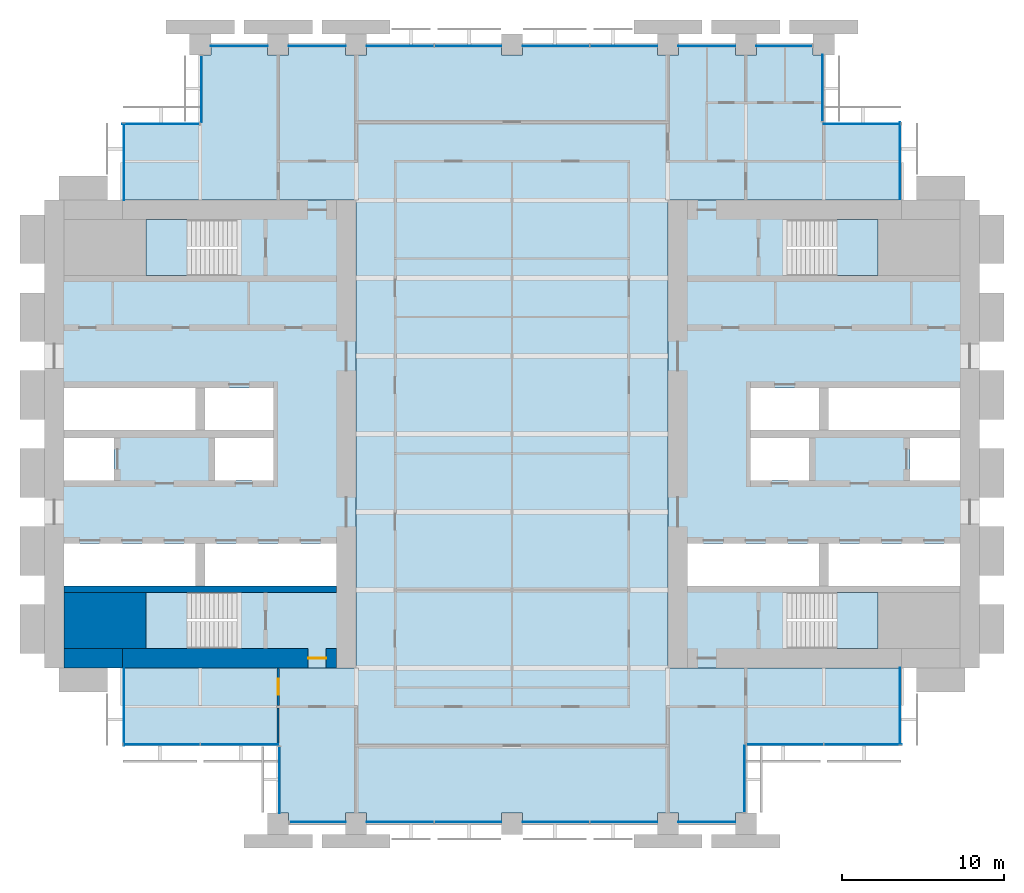
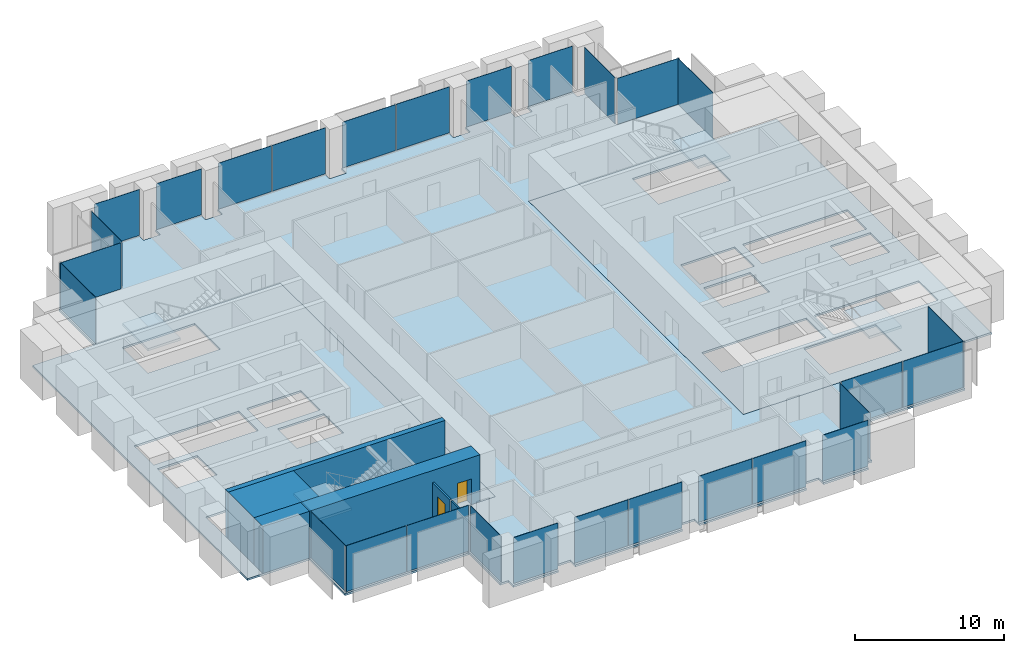
# One storey, part 8 of 14: 28 plates, 7 slabs, 6 walls, 2 doors, 2 openings, 18 elements without a shape of their own.
"""IFC4 building model written with IfcOpenShell, lengths in metres."""

from ifc_helpers import new_model, si_unit, direction, frame, frame_2d, origin, origin_2d, place, context, subcontext, project, spatial, polyline, rectangle, outline, extrude, material, layer, layer_set, type_object, element, fill, aggregate, save


model = new_model("IFC4")

# Units and contexts
model_context = context("Model", 3, precision=1e-05, world=origin(), true_north=direction((0.0, 1.0)))
body_context = subcontext(model_context, "Body", "Model", "MODEL_VIEW")
ifc_project = project(units=[si_unit("LENGTHUNIT", "METRE"), si_unit("AREAUNIT", "SQUARE_METRE"), si_unit("VOLUMEUNIT", "CUBIC_METRE"), si_unit("PLANEANGLEUNIT", "RADIAN"), si_unit("MASSUNIT", "GRAM", prefix="KILO")], contexts=[model_context])

# Site, building, storey
site_placement = place(None, origin())
site = spatial("IfcSite", under=ifc_project, at=site_placement, CompositionType="ELEMENT")
building_placement = place(site_placement, origin())
building = spatial("IfcBuilding", under=site, at=building_placement, Name="Baori Bourse Tower", CompositionType="ELEMENT")
storey_placement = place(building_placement, frame((0.0, 0.0, 79.0)))
storey = spatial("IfcBuildingStorey", under=building, at=storey_placement, Name="L17", CompositionType="ELEMENT", Elevation=79.0)

# Curtain wall, plates
ifc_material_1 = material(Name="Pale anodised aluminium", Category="aluminium")
curtain_wall_type_1 = type_object("IfcCurtainWallType", Name="CW1 Curtain wall", PredefinedType="NOTDEFINED", material=ifc_material_1)
curtain_wall_1_placement = place(storey_placement, origin())
curtain_wall_1 = element("IfcCurtainWall", 1, at=curtain_wall_1_placement, inside=storey, type_object=curtain_wall_type_1, Name="Curtain wall CW1 L17 4", PredefinedType="NOTDEFINED")
ifc_material_2 = material(Name="Clear glass", Category="glass")
ifc_layer_1 = layer(ifc_material_2, 0.033935546875)
ifc_layer_set_1 = layer_set([ifc_layer_1], Name="CW1 Curtain wall panel")
plate_type_1 = type_object("IfcPlateType", Name="CW1 Curtain wall panel", PredefinedType="CURTAIN_PANEL", material=ifc_layer_set_1)
plate_1_placement = place(storey_placement, frame((45.570068359375, 47.89990234375, 0.080078125), z_axis=(0.0, 0.0, 1.0), x_axis=(-1.0, 0.0, 0.0)))
plate_1 = element("IfcPlate", 2, at=plate_1_placement, type_object=plate_type_1, Name="Curtain wall CW1 panel", PredefinedType="CURTAIN_PANEL", context=body_context, shape_type="SweptSolid", body=[
    extrude(rectangle(XDim=3.43994140625, YDim=0.033935546875, at=origin_2d()), origin(), (0.0, 0.0, 1.0), 3.760009765625),
])
plate_2_placement = place(storey_placement, frame((40.800048828125, 47.89990234375, 0.080078125), z_axis=(0.0, 0.0, 1.0), x_axis=(-1.0, 0.0, 0.0)))
plate_2 = element("IfcPlate", 3, at=plate_2_placement, type_object=plate_type_1, Name="Curtain wall CW1 panel", PredefinedType="CURTAIN_PANEL", context=body_context, shape_type="SweptSolid", body=[
    extrude(rectangle(XDim=3.5, YDim=0.033935546875, at=origin_2d()), origin(), (0.0, 0.0, 1.0), 3.760009765625),
])
plate_3_placement = place(storey_placement, frame((35.68994140625, 47.89990234375, 0.080078125), z_axis=(0.0, 0.0, 1.0), x_axis=(-1.0, 0.0, 0.0)))
plate_3 = element("IfcPlate", 4, at=plate_3_placement, type_object=plate_type_1, Name="Curtain wall CW1 panel", PredefinedType="CURTAIN_PANEL", context=body_context, shape_type="SweptSolid", body=[
    extrude(rectangle(XDim=4.1201171875, YDim=0.033935546875, at=origin_2d()), origin(), (0.0, 0.0, 1.0), 3.760009765625),
])
plate_4_placement = place(storey_placement, frame((31.510009765625, 47.89990234375, 0.080078125), z_axis=(0.0, 0.0, 1.0), x_axis=(-1.0, 0.0, 0.0)))
plate_4 = element("IfcPlate", 5, at=plate_4_placement, type_object=plate_type_1, Name="Curtain wall CW1 panel", PredefinedType="CURTAIN_PANEL", context=body_context, shape_type="SweptSolid", body=[
    extrude(rectangle(XDim=4.1201171875, YDim=0.033935546875, at=origin_2d()), origin(), (0.0, 0.0, 1.0), 3.760009765625),
])
plate_5_placement = place(storey_placement, frame((26.090087890625, 47.89990234375, 0.080078125), z_axis=(0.0, 0.0, 1.0), x_axis=(-1.0, 0.0, 0.0)))
plate_5 = element("IfcPlate", 6, at=plate_5_placement, type_object=plate_type_1, Name="Curtain wall CW1 panel", PredefinedType="CURTAIN_PANEL", context=body_context, shape_type="SweptSolid", body=[
    extrude(rectangle(XDim=4.1201171875, YDim=0.033935546875, at=origin_2d()), origin(), (0.0, 0.0, 1.0), 3.760009765625),
])
plate_6_placement = place(storey_placement, frame((21.909912109375, 47.89990234375, 0.080078125), z_axis=(0.0, 0.0, 1.0), x_axis=(-1.0, 0.0, 0.0)))
plate_6 = element("IfcPlate", 7, at=plate_6_placement, type_object=plate_type_1, Name="Curtain wall CW1 panel", PredefinedType="CURTAIN_PANEL", context=body_context, shape_type="SweptSolid", body=[
    extrude(rectangle(XDim=4.1201171875, YDim=0.033935546875, at=origin_2d()), origin(), (0.0, 0.0, 1.0), 3.760009765625),
])
plate_7_placement = place(storey_placement, frame((16.800048828125, 47.89990234375, 0.080078125), z_axis=(0.0, 0.0, 1.0), x_axis=(-1.0, 0.0, 0.0)))
plate_7 = element("IfcPlate", 8, at=plate_7_placement, type_object=plate_type_1, Name="Curtain wall CW1 panel", PredefinedType="CURTAIN_PANEL", context=body_context, shape_type="SweptSolid", body=[
    extrude(rectangle(XDim=3.5, YDim=0.033935546875, at=origin_2d()), origin(), (0.0, 0.0, 1.0), 3.760009765625),
])
plate_8_placement = place(storey_placement, frame((12.0, 47.89990234375, 0.080078125), z_axis=(0.0, 0.0, 1.0), x_axis=(-1.0, 0.0, 0.0)))
plate_8 = element("IfcPlate", 9, at=plate_8_placement, type_object=plate_type_1, Name="Curtain wall CW1 panel", PredefinedType="CURTAIN_PANEL", context=body_context, shape_type="SweptSolid", body=[
    extrude(rectangle(XDim=3.5, YDim=0.033935546875, at=origin_2d()), origin(), (0.0, 0.0, 1.0), 3.760009765625),
])
aggregate(curtain_wall_1, [plate_1, plate_2, plate_3, plate_4, plate_5, plate_6, plate_7, plate_8])

curtain_wall_2_placement = place(storey_placement, origin())
curtain_wall_2 = element("IfcCurtainWall", 10, at=curtain_wall_2_placement, inside=storey, type_object=curtain_wall_type_1, Name="Curtain wall CW1 L17 11", PredefinedType="NOTDEFINED")
plate_9_placement = place(storey_placement, frame((16.830078125, 0.10009765625, 0.080078125), z_axis=(0.0, 0.0, 1.0), x_axis=(1.0, 0.0, 0.0)))
plate_9 = element("IfcPlate", 11, at=plate_9_placement, type_object=plate_type_1, Name="Curtain wall CW1 panel", PredefinedType="CURTAIN_PANEL", context=body_context, shape_type="SweptSolid", body=[
    extrude(rectangle(XDim=3.43994140625, YDim=0.033935546875, at=origin_2d()), origin(), (0.0, 0.0, 1.0), 3.760009765625),
])
plate_10_placement = place(storey_placement, frame((21.909912109375, 0.10009765625, 0.080078125), z_axis=(0.0, 0.0, 1.0), x_axis=(1.0, 0.0, 0.0)))
plate_10 = element("IfcPlate", 12, at=plate_10_placement, type_object=plate_type_1, Name="Curtain wall CW1 panel", PredefinedType="CURTAIN_PANEL", context=body_context, shape_type="SweptSolid", body=[
    extrude(rectangle(XDim=4.1201171875, YDim=0.033935546875, at=origin_2d()), origin(), (0.0, 0.0, 1.0), 3.760009765625),
])
plate_11_placement = place(storey_placement, frame((26.090087890625, 0.10009765625, 0.080078125), z_axis=(0.0, 0.0, 1.0), x_axis=(1.0, 0.0, 0.0)))
plate_11 = element("IfcPlate", 13, at=plate_11_placement, type_object=plate_type_1, Name="Curtain wall CW1 panel", PredefinedType="CURTAIN_PANEL", context=body_context, shape_type="SweptSolid", body=[
    extrude(rectangle(XDim=4.1201171875, YDim=0.033935546875, at=origin_2d()), origin(), (0.0, 0.0, 1.0), 3.760009765625),
])
plate_12_placement = place(storey_placement, frame((31.510009765625, 0.10009765625, 0.080078125), z_axis=(0.0, 0.0, 1.0), x_axis=(1.0, 0.0, 0.0)))
plate_12 = element("IfcPlate", 14, at=plate_12_placement, type_object=plate_type_1, Name="Curtain wall CW1 panel", PredefinedType="CURTAIN_PANEL", context=body_context, shape_type="SweptSolid", body=[
    extrude(rectangle(XDim=4.1201171875, YDim=0.033935546875, at=origin_2d()), origin(), (0.0, 0.0, 1.0), 3.760009765625),
])
plate_13_placement = place(storey_placement, frame((35.68994140625, 0.10009765625, 0.080078125), z_axis=(0.0, 0.0, 1.0), x_axis=(1.0, 0.0, 0.0)))
plate_13 = element("IfcPlate", 15, at=plate_13_placement, type_object=plate_type_1, Name="Curtain wall CW1 panel", PredefinedType="CURTAIN_PANEL", context=body_context, shape_type="SweptSolid", body=[
    extrude(rectangle(XDim=4.1201171875, YDim=0.033935546875, at=origin_2d()), origin(), (0.0, 0.0, 1.0), 3.760009765625),
])
plate_14_placement = place(storey_placement, frame((40.800048828125, 0.10009765625, 0.080078125), z_axis=(0.0, 0.0, 1.0), x_axis=(1.0, 0.0, 0.0)))
plate_14 = element("IfcPlate", 16, at=plate_14_placement, type_object=plate_type_1, Name="Curtain wall CW1 panel", PredefinedType="CURTAIN_PANEL", context=body_context, shape_type="SweptSolid", body=[
    extrude(rectangle(XDim=3.5, YDim=0.033935546875, at=origin_2d()), origin(), (0.0, 0.0, 1.0), 3.760009765625),
])
aggregate(curtain_wall_2, [plate_9, plate_10, plate_11, plate_12, plate_13, plate_14])

# Curtain wall, plate
ifc_material_3 = material(Name="Pale anodised aluminium", Category="aluminium")
curtain_wall_type_2 = type_object("IfcCurtainWallType", Name="CW2 Curtain wall", PredefinedType="NOTDEFINED", material=ifc_material_3)
curtain_wall_3_placement = place(storey_placement, origin())
curtain_wall_3 = element("IfcCurtainWall", 17, at=curtain_wall_3_placement, inside=storey, type_object=curtain_wall_type_2, Name="Curtain wall CW2 L17 1", PredefinedType="NOTDEFINED")
ifc_material_4 = material(Name="Clear glass", Category="glass")
ifc_layer_2 = layer(ifc_material_4, 0.030029296875)
ifc_layer_set_2 = layer_set([ifc_layer_2], Name="CW2 Curtain wall panel")
plate_type_2 = type_object("IfcPlateType", Name="CW2 Curtain wall panel", PredefinedType="CURTAIN_PANEL", material=ifc_layer_set_2)
plate_15_placement = place(storey_placement, frame((52.7099609375, 40.827392578125, 0.070068359375), z_axis=(0.0, 0.0, 1.0), x_axis=(0.0, 1.0, 0.0)))
plate_15 = element("IfcPlate", 18, at=plate_15_placement, type_object=plate_type_2, Name="Curtain wall CW2 panel", PredefinedType="CURTAIN_PANEL", context=body_context, shape_type="SweptSolid", body=[
    extrude(rectangle(XDim=4.7451171875, YDim=0.030029296875, at=origin_2d()), origin(), (0.0, 0.0, 1.0), 3.77001953125),
])
aggregate(curtain_wall_3, [plate_15])

curtain_wall_4_placement = place(storey_placement, origin())
curtain_wall_4 = element("IfcCurtainWall", 19, at=curtain_wall_4_placement, inside=storey, type_object=curtain_wall_type_2, Name="Curtain wall CW2 L17 2", PredefinedType="NOTDEFINED")
plate_16_placement = place(storey_placement, frame((50.37255859375, 43.110107421875, 0.070068359375), z_axis=(0.0, 0.0, 1.0), x_axis=(-1.0, 0.0, 0.0)))
plate_16 = element("IfcPlate", 20, at=plate_16_placement, type_object=plate_type_2, Name="Curtain wall CW2 panel", PredefinedType="CURTAIN_PANEL", context=body_context, shape_type="SweptSolid", body=[
    extrude(rectangle(XDim=4.7451171875, YDim=0.030029296875, at=origin_2d()), origin(), (0.0, 0.0, 1.0), 3.77001953125),
])
aggregate(curtain_wall_4, [plate_16])

curtain_wall_5_placement = place(storey_placement, origin())
curtain_wall_5 = element("IfcCurtainWall", 21, at=curtain_wall_5_placement, inside=storey, type_object=curtain_wall_type_2, Name="Curtain wall CW2 L17 3", PredefinedType="NOTDEFINED")
plate_17_placement = place(storey_placement, frame((47.909912109375, 45.302490234375, 0.070068359375), z_axis=(0.0, 0.0, 1.0), x_axis=(0.0, 1.0, 0.0)))
plate_17 = element("IfcPlate", 22, at=plate_17_placement, type_object=plate_type_2, Name="Curtain wall CW2 panel", PredefinedType="CURTAIN_PANEL", context=body_context, shape_type="SweptSolid", body=[
    extrude(rectangle(XDim=4.094970703125, YDim=0.030029296875, at=origin_2d()), origin(), (0.0, 0.0, 1.0), 3.77001953125),
])
aggregate(curtain_wall_5, [plate_17])

curtain_wall_6_placement = place(storey_placement, origin())
curtain_wall_6 = element("IfcCurtainWall", 23, at=curtain_wall_6_placement, inside=storey, type_object=curtain_wall_type_2, Name="Curtain wall CW2 L17 5", PredefinedType="NOTDEFINED")
plate_18_placement = place(storey_placement, frame((9.68994140625, 45.24755859375, 0.070068359375), z_axis=(0.0, 0.0, 1.0), x_axis=(0.0, -1.0, 0.0)))
plate_18 = element("IfcPlate", 24, at=plate_18_placement, type_object=plate_type_2, Name="Curtain wall CW2 panel", PredefinedType="CURTAIN_PANEL", context=body_context, shape_type="SweptSolid", body=[
    extrude(rectangle(XDim=4.094970703125, YDim=0.030029296875, at=origin_2d()), origin(), (0.0, 0.0, 1.0), 3.77001953125),
])
aggregate(curtain_wall_6, [plate_18])

curtain_wall_7_placement = place(storey_placement, origin())
curtain_wall_7 = element("IfcCurtainWall", 25, at=curtain_wall_7_placement, inside=storey, type_object=curtain_wall_type_2, Name="Curtain wall CW2 L17 6", PredefinedType="NOTDEFINED")
plate_19_placement = place(storey_placement, frame((7.172607421875, 43.110107421875, 0.070068359375), z_axis=(0.0, 0.0, 1.0), x_axis=(-1.0, 0.0, 0.0)))
plate_19 = element("IfcPlate", 26, at=plate_19_placement, type_object=plate_type_2, Name="Curtain wall CW2 panel", PredefinedType="CURTAIN_PANEL", context=body_context, shape_type="SweptSolid", body=[
    extrude(rectangle(XDim=4.7451171875, YDim=0.030029296875, at=origin_2d()), origin(), (0.0, 0.0, 1.0), 3.77001953125),
])
aggregate(curtain_wall_7, [plate_19])

curtain_wall_8_placement = place(storey_placement, origin())
curtain_wall_8 = element("IfcCurtainWall", 27, at=curtain_wall_8_placement, inside=storey, type_object=curtain_wall_type_2, Name="Curtain wall CW2 L17 7", PredefinedType="NOTDEFINED")
plate_20_placement = place(storey_placement, frame((4.889892578125, 40.7724609375, 0.070068359375), z_axis=(0.0, 0.0, 1.0), x_axis=(0.0, -1.0, 0.0)))
plate_20 = element("IfcPlate", 28, at=plate_20_placement, type_object=plate_type_2, Name="Curtain wall CW2 panel", PredefinedType="CURTAIN_PANEL", context=body_context, shape_type="SweptSolid", body=[
    extrude(rectangle(XDim=4.7451171875, YDim=0.030029296875, at=origin_2d()), origin(), (0.0, 0.0, 1.0), 3.77001953125),
])
aggregate(curtain_wall_8, [plate_20])

curtain_wall_9_placement = place(storey_placement, origin())
curtain_wall_9 = element("IfcCurtainWall", 29, at=curtain_wall_9_placement, inside=storey, type_object=curtain_wall_type_2, Name="Curtain wall CW2 L17 8", PredefinedType="NOTDEFINED")
plate_21_placement = place(storey_placement, frame((4.889892578125, 7.172607421875, 0.070068359375), z_axis=(0.0, 0.0, 1.0), x_axis=(0.0, -1.0, 0.0)))
plate_21 = element("IfcPlate", 30, at=plate_21_placement, type_object=plate_type_2, Name="Curtain wall CW2 panel", PredefinedType="CURTAIN_PANEL", context=body_context, shape_type="SweptSolid", body=[
    extrude(rectangle(XDim=4.7451171875, YDim=0.030029296875, at=origin_2d()), origin(), (0.0, 0.0, 1.0), 3.77001953125),
])
aggregate(curtain_wall_9, [plate_21])

# Curtain wall, plates
curtain_wall_10_placement = place(storey_placement, origin())
curtain_wall_10 = element("IfcCurtainWall", 31, at=curtain_wall_10_placement, inside=storey, type_object=curtain_wall_type_2, Name="Curtain wall CW2 L17 9", PredefinedType="NOTDEFINED")
plate_22_placement = place(storey_placement, frame((7.2138671875, 4.889892578125, 0.070068359375), z_axis=(0.0, 0.0, 1.0), x_axis=(1.0, 0.0, 0.0)))
plate_22 = element("IfcPlate", 32, at=plate_22_placement, type_object=plate_type_2, Name="Curtain wall CW2 panel", PredefinedType="CURTAIN_PANEL", context=body_context, shape_type="SweptSolid", body=[
    extrude(rectangle(XDim=4.717529296875, YDim=0.030029296875, at=origin_2d()), origin(), (0.0, 0.0, 1.0), 3.77001953125),
])
plate_23_placement = place(storey_placement, frame((12.013671875, 4.889892578125, 0.070068359375), z_axis=(0.0, 0.0, 1.0), x_axis=(1.0, 0.0, 0.0)))
plate_23 = element("IfcPlate", 33, at=plate_23_placement, type_object=plate_type_2, Name="Curtain wall CW2 panel", PredefinedType="CURTAIN_PANEL", context=body_context, shape_type="SweptSolid", body=[
    extrude(rectangle(XDim=4.7724609375, YDim=0.030029296875, at=origin_2d()), origin(), (0.0, 0.0, 1.0), 3.77001953125),
])
aggregate(curtain_wall_10, [plate_22, plate_23])

# Curtain wall, plate
curtain_wall_11_placement = place(storey_placement, origin())
curtain_wall_11 = element("IfcCurtainWall", 34, at=curtain_wall_11_placement, inside=storey, type_object=curtain_wall_type_2, Name="Curtain wall CW2 L17 10", PredefinedType="NOTDEFINED")
plate_24_placement = place(storey_placement, frame((14.489990234375, 2.697509765625, 0.070068359375), z_axis=(0.0, 0.0, 1.0), x_axis=(0.0, -1.0, 0.0)))
plate_24 = element("IfcPlate", 35, at=plate_24_placement, type_object=plate_type_2, Name="Curtain wall CW2 panel", PredefinedType="CURTAIN_PANEL", context=body_context, shape_type="SweptSolid", body=[
    extrude(rectangle(XDim=4.094970703125, YDim=0.030029296875, at=origin_2d()), origin(), (0.0, 0.0, 1.0), 3.77001953125),
])
aggregate(curtain_wall_11, [plate_24])

curtain_wall_12_placement = place(storey_placement, origin())
curtain_wall_12 = element("IfcCurtainWall", 36, at=curtain_wall_12_placement, inside=storey, type_object=curtain_wall_type_2, Name="Curtain wall CW2 L17 12", PredefinedType="NOTDEFINED")
plate_25_placement = place(storey_placement, frame((43.110107421875, 2.75244140625, 0.070068359375), z_axis=(0.0, 0.0, 1.0), x_axis=(0.0, 1.0, 0.0)))
plate_25 = element("IfcPlate", 37, at=plate_25_placement, type_object=plate_type_2, Name="Curtain wall CW2 panel", PredefinedType="CURTAIN_PANEL", context=body_context, shape_type="SweptSolid", body=[
    extrude(rectangle(XDim=4.094970703125, YDim=0.030029296875, at=origin_2d()), origin(), (0.0, 0.0, 1.0), 3.77001953125),
])
aggregate(curtain_wall_12, [plate_25])

# Curtain wall, plates
curtain_wall_13_placement = place(storey_placement, origin())
curtain_wall_13 = element("IfcCurtainWall", 38, at=curtain_wall_13_placement, inside=storey, type_object=curtain_wall_type_2, Name="Curtain wall CW2 L17 13", PredefinedType="NOTDEFINED")
plate_26_placement = place(storey_placement, frame((45.61376953125, 4.889892578125, 0.070068359375), z_axis=(0.0, 0.0, 1.0), x_axis=(1.0, 0.0, 0.0)))
plate_26 = element("IfcPlate", 39, at=plate_26_placement, type_object=plate_type_2, Name="Curtain wall CW2 panel", PredefinedType="CURTAIN_PANEL", context=body_context, shape_type="SweptSolid", body=[
    extrude(rectangle(XDim=4.717529296875, YDim=0.030029296875, at=origin_2d()), origin(), (0.0, 0.0, 1.0), 3.77001953125),
])
plate_27_placement = place(storey_placement, frame((50.413818359375, 4.889892578125, 0.070068359375), z_axis=(0.0, 0.0, 1.0), x_axis=(1.0, 0.0, 0.0)))
plate_27 = element("IfcPlate", 40, at=plate_27_placement, type_object=plate_type_2, Name="Curtain wall CW2 panel", PredefinedType="CURTAIN_PANEL", context=body_context, shape_type="SweptSolid", body=[
    extrude(rectangle(XDim=4.7724609375, YDim=0.030029296875, at=origin_2d()), origin(), (0.0, 0.0, 1.0), 3.77001953125),
])
aggregate(curtain_wall_13, [plate_26, plate_27])

# Curtain wall, plate
curtain_wall_14_placement = place(storey_placement, origin())
curtain_wall_14 = element("IfcCurtainWall", 41, at=curtain_wall_14_placement, inside=storey, type_object=curtain_wall_type_2, Name="Curtain wall CW2 L17 14", PredefinedType="NOTDEFINED")
plate_28_placement = place(storey_placement, frame((52.7099609375, 7.2275390625, 0.070068359375), z_axis=(0.0, 0.0, 1.0), x_axis=(0.0, 1.0, 0.0)))
plate_28 = element("IfcPlate", 42, at=plate_28_placement, type_object=plate_type_2, Name="Curtain wall CW2 panel", PredefinedType="CURTAIN_PANEL", context=body_context, shape_type="SweptSolid", body=[
    extrude(rectangle(XDim=4.7451171875, YDim=0.030029296875, at=origin_2d()), origin(), (0.0, 0.0, 1.0), 3.77001953125),
])
aggregate(curtain_wall_14, [plate_28])

# Slabs
ifc_material_5 = material(Name="Concrete f'c 50 MPa", Category="concrete")
ifc_layer_3 = layer(ifc_material_5, 0.159912109375)
ifc_layer_set_3 = layer_set([ifc_layer_3], Name="Core slab 160")
slab_type_1 = type_object("IfcSlabType", Name="Core slab 160", PredefinedType="FLOOR", material=ifc_layer_set_3)
slab_1_placement = place(storey_placement, frame((0.0, 0.0, -0.159912109375)))
element("IfcSlab", 43, at=slab_1_placement, inside=storey, type_object=slab_type_1, Name="Core floor slab W01", PredefinedType="FLOOR", context=body_context, shape_type="SweptSolid", body=[
    extrude(outline(polyline([(19.199951171875, 9.60009765625), (19.199951171875, 38.39990234375), (0.0, 38.39990234375), (0.0, 9.60009765625), (19.199951171875, 9.60009765625)]), holes=[polyline([(9.89990234375, 14.64990234375), (9.89990234375, 17.25), (18.0, 17.25), (18.0, 14.64990234375), (9.89990234375, 14.64990234375)]), polyline([(10.5, 21.14990234375), (10.5, 23.75), (14.10009765625, 23.75), (14.10009765625, 21.14990234375), (10.5, 21.14990234375)]), polyline([(14.10009765625, 24.25), (9.89990234375, 24.25), (9.89990234375, 26.85009765625), (14.10009765625, 26.85009765625), (14.10009765625, 24.25)]), polyline([(6.25, 14.25), (11.84912109375, 14.25), (11.84912109375, 10.800048828125), (6.25, 10.800048828125), (6.25, 14.25)]), polyline([(11.84912109375, 37.199951171875), (11.84912109375, 33.75), (6.25, 33.75), (6.25, 37.199951171875), (11.84912109375, 37.199951171875)]), polyline([(1.199951171875, 26.85009765625), (9.300048828125, 26.85009765625), (9.300048828125, 24.25), (1.199951171875, 24.25), (1.199951171875, 26.85009765625)]), polyline([(9.300048828125, 14.64990234375), (1.199951171875, 14.64990234375), (1.199951171875, 17.25), (9.300048828125, 17.25), (9.300048828125, 14.64990234375)]), polyline([(4.300048828125, 23.75), (4.300048828125, 21.14990234375), (1.199951171875, 21.14990234375), (1.199951171875, 23.75), (4.300048828125, 23.75)])]), origin(), (0.0, 0.0, 1.0), 0.159912109375),
])
slab_2_placement = place(storey_placement, frame((0.0, 0.0, -0.159912109375)))
element("IfcSlab", 44, at=slab_2_placement, inside=storey, type_object=slab_type_1, Name="Core floor slab E01", PredefinedType="FLOOR", context=body_context, shape_type="SweptSolid", body=[
    extrude(outline(polyline([(38.39990234375, 9.60009765625), (57.60009765625, 9.60009765625), (57.60009765625, 38.39990234375), (38.39990234375, 38.39990234375), (38.39990234375, 9.60009765625)]), holes=[polyline([(48.300048828125, 14.64990234375), (48.300048828125, 17.25), (56.39990234375, 17.25), (56.39990234375, 14.64990234375), (48.300048828125, 14.64990234375)]), polyline([(56.39990234375, 21.14990234375), (53.300048828125, 21.14990234375), (53.300048828125, 23.75), (56.39990234375, 23.75), (56.39990234375, 21.14990234375)]), polyline([(56.39990234375, 26.85009765625), (56.39990234375, 24.25), (48.300048828125, 24.25), (48.300048828125, 26.85009765625), (56.39990234375, 26.85009765625)]), polyline([(45.750732421875, 14.25), (51.35009765625, 14.25), (51.35009765625, 10.800048828125), (45.750732421875, 10.800048828125), (45.750732421875, 14.25)]), polyline([(51.35009765625, 37.199951171875), (51.35009765625, 33.75), (45.750732421875, 33.75), (45.750732421875, 37.199951171875), (51.35009765625, 37.199951171875)]), polyline([(39.60009765625, 17.25), (47.699951171875, 17.25), (47.699951171875, 14.64990234375), (39.60009765625, 14.64990234375), (39.60009765625, 17.25)]), polyline([(43.5, 24.25), (43.5, 26.85009765625), (47.699951171875, 26.85009765625), (47.699951171875, 24.25), (43.5, 24.25)]), polyline([(43.5, 23.75), (47.10009765625, 23.75), (47.10009765625, 21.14990234375), (43.5, 21.14990234375), (43.5, 23.75)])]), origin(), (0.0, 0.0, 1.0), 0.159912109375),
])

# Stair, slab
ifc_material_6 = material(Name="Concrete f'c 50 MPa", Category="concrete")
stair_type = type_object("IfcStairType", Name="Core stair", PredefinedType="HALF_TURN_STAIR", material=ifc_material_6)
stair_1_placement = place(storey_placement, origin())
stair_1 = element("IfcStair", 45, at=stair_1_placement, inside=storey, type_object=stair_type, Name="L17 Stair WA", PredefinedType="HALF_TURN_STAIR")
ifc_material_7 = material(Name="Concrete f'c 50 MPa", Category="concrete")
slab_type_2 = type_object("IfcSlabType", Name="Core stair landing", PredefinedType="LANDING", material=ifc_material_7)
slab_3_placement = place(storey_placement, frame((0.0, 0.0, 1.800048828125)))
slab_3 = element("IfcSlab", 46, at=slab_3_placement, type_object=slab_type_2, Name="ST1 landing 1", PredefinedType="LANDING", context=body_context, shape_type="SweptSolid", body=[
    extrude(outline(polyline([(8.77001953125, 14.25), (6.25, 14.25), (6.25, 10.800048828125), (8.77001953125, 10.800048828125), (8.77001953125, 14.25)])), origin(), (0.0, 0.0, 1.0), 0.199951171875),
])
aggregate(stair_1, [slab_3])

stair_2_placement = place(storey_placement, origin())
stair_2 = element("IfcStair", 47, at=stair_2_placement, inside=storey, type_object=stair_type, Name="L17 Stair WB", PredefinedType="HALF_TURN_STAIR")
slab_4_placement = place(storey_placement, frame((0.0, 0.0, 1.800048828125)))
slab_4 = element("IfcSlab", 48, at=slab_4_placement, type_object=slab_type_2, Name="ST2 landing 1", PredefinedType="LANDING", context=body_context, shape_type="SweptSolid", body=[
    extrude(outline(polyline([(8.77001953125, 37.199951171875), (6.25, 37.199951171875), (6.25, 33.75), (8.77001953125, 33.75), (8.77001953125, 37.199951171875)])), origin(), (0.0, 0.0, 1.0), 0.199951171875),
])
aggregate(stair_2, [slab_4])

stair_3_placement = place(storey_placement, origin())
stair_3 = element("IfcStair", 49, at=stair_3_placement, inside=storey, type_object=stair_type, Name="L17 Stair EA", PredefinedType="HALF_TURN_STAIR")
slab_5_placement = place(storey_placement, frame((0.0, 0.0, 1.800048828125)))
slab_5 = element("IfcSlab", 50, at=slab_5_placement, type_object=slab_type_2, Name="ST3 landing 1", PredefinedType="LANDING", context=body_context, shape_type="SweptSolid", body=[
    extrude(outline(polyline([(48.830078125, 10.800048828125), (51.35009765625, 10.800048828125), (51.35009765625, 14.25), (48.830078125, 14.25), (48.830078125, 10.800048828125)])), origin(), (0.0, 0.0, 1.0), 0.199951171875),
])
aggregate(stair_3, [slab_5])

stair_4_placement = place(storey_placement, origin())
stair_4 = element("IfcStair", 51, at=stair_4_placement, inside=storey, type_object=stair_type, Name="L17 Stair EB", PredefinedType="HALF_TURN_STAIR")
slab_6_placement = place(storey_placement, frame((0.0, 0.0, 1.800048828125)))
slab_6 = element("IfcSlab", 52, at=slab_6_placement, type_object=slab_type_2, Name="ST4 landing 1", PredefinedType="LANDING", context=body_context, shape_type="SweptSolid", body=[
    extrude(outline(polyline([(48.830078125, 33.75), (51.35009765625, 33.75), (51.35009765625, 37.199951171875), (48.830078125, 37.199951171875), (48.830078125, 33.75)])), origin(), (0.0, 0.0, 1.0), 0.199951171875),
])
aggregate(stair_4, [slab_6])

# Slab
ifc_material_8 = material(Name="Concrete f'c 40 MPa", Category="concrete")
ifc_layer_4 = layer(ifc_material_8, 0.159912109375)
ifc_layer_set_4 = layer_set([ifc_layer_4], Name="Floor slab 160")
slab_type_3 = type_object("IfcSlabType", Name="Floor slab 160", PredefinedType="FLOOR", material=ifc_layer_set_4)
slab_7_placement = place(storey_placement, frame((0.0, 0.0, -0.159912109375)))
element("IfcSlab", 53, at=slab_7_placement, inside=storey, type_object=slab_type_3, Name="Floor slab L17", PredefinedType="FLOOR", context=body_context, shape_type="SweptSolid", body=[
    extrude(outline(polyline([(14.39990234375, 4.800048828125), (4.800048828125, 4.800048828125), (4.800048828125, 9.60009765625), (19.199951171875, 9.60009765625), (19.199951171875, 38.39990234375), (4.800048828125, 38.39990234375), (4.800048828125, 43.199951171875), (9.60009765625, 43.199951171875), (9.60009765625, 47.35009765625), (10.25, 47.35009765625), (10.25, 48.0), (13.75, 48.0), (13.75, 47.35009765625), (15.050048828125, 47.35009765625), (15.050048828125, 48.0), (18.550048828125, 48.0), (18.550048828125, 47.35009765625), (19.85009765625, 47.35009765625), (19.85009765625, 48.0), (28.14990234375, 48.0), (28.14990234375, 47.35009765625), (29.449951171875, 47.35009765625), (29.449951171875, 48.0), (37.75, 48.0), (37.75, 47.35009765625), (39.050048828125, 47.35009765625), (39.050048828125, 48.0), (42.550048828125, 48.0), (42.550048828125, 47.35009765625), (43.85009765625, 47.35009765625), (43.85009765625, 48.0), (47.35009765625, 48.0), (47.35009765625, 47.35009765625), (48.0, 47.35009765625), (48.0, 43.199951171875), (52.800048828125, 43.199951171875), (52.800048828125, 38.39990234375), (38.39990234375, 38.39990234375), (38.39990234375, 9.60009765625), (52.800048828125, 9.60009765625), (52.800048828125, 4.800048828125), (43.199951171875, 4.800048828125), (43.199951171875, 0.64990234375), (42.550048828125, 0.64990234375), (42.550048828125, 0.0), (39.050048828125, 0.0), (39.050048828125, 0.64990234375), (37.75, 0.64990234375), (37.75, 0.0), (29.449951171875, 0.0), (29.449951171875, 0.64990234375), (28.14990234375, 0.64990234375), (28.14990234375, 0.0), (19.85009765625, 0.0), (19.85009765625, 0.64990234375), (18.550048828125, 0.64990234375), (18.550048828125, 0.0), (15.050048828125, 0.0), (15.050048828125, 0.64990234375), (14.39990234375, 0.64990234375), (14.39990234375, 4.800048828125)])), origin(), (0.0, 0.0, 1.0), 0.159912109375),
])

# Walls
ifc_material_9 = material(Name="Concrete f'c 70 MPa", Category="concrete")
wall_type_1 = type_object("IfcWallType", Name="Core corner block f'c 70", PredefinedType="SHEAR", material=ifc_material_9)
wall_1_placement = place(storey_placement, frame((1.199951171875, 12.52490234375, 0.0), z_axis=(0.0, 0.0, 1.0), x_axis=(1.0, 0.0, 0.0)))
element("IfcWall", 54, at=wall_1_placement, inside=storey, type_object=wall_type_1, Name="Core wall W05", PredefinedType="SHEAR", context=body_context, shape_type="SweptSolid", body=[
    extrude(rectangle(XDim=5.050048828125, YDim=3.449951171875, at=frame_2d((2.52490234375, 0.0))), origin(), (0.0, 0.0, 1.0), 3.840087890625),
])
ifc_material_10 = material(Name="Concrete f'c 70 MPa", Category="concrete")
ifc_layer_5 = layer(ifc_material_10, 1.199951171875)
ifc_layer_set_5 = layer_set([ifc_layer_5], Name="Core wall 1200 f'c 70")
wall_type_2 = type_object("IfcWallType", Name="Core wall 1200 f'c 70", PredefinedType="SHEAR", material=ifc_layer_set_5)
wall_2_placement = place(storey_placement, frame((4.800048828125, 10.199951171875, 0.0), z_axis=(0.0, 0.0, 1.0), x_axis=(-1.0, 0.0, 0.0)))
element("IfcWall", 55, at=wall_2_placement, inside=storey, type_object=wall_type_2, Name="Core wall W02", PredefinedType="SHEAR", context=body_context, shape_type="SweptSolid", body=[
    extrude(rectangle(XDim=3.60009765625, YDim=1.199951171875, at=frame_2d((1.800048828125, 0.0))), origin(), (0.0, 0.0, 1.0), 3.840087890625),
])

# Wall, opening, door
wall_3_placement = place(storey_placement, frame((18.0, 10.199951171875, 0.0), z_axis=(0.0, 0.0, 1.0), x_axis=(-1.0, 0.0, 0.0)))
wall_3 = element("IfcWall", 56, at=wall_3_placement, inside=storey, type_object=wall_type_2, Name="Core wall W03", PredefinedType="SHEAR", context=body_context, shape_type="SweptSolid", body=[
    extrude(rectangle(XDim=13.199951171875, YDim=1.199951171875, at=frame_2d((6.60009765625, 0.0))), origin(), (0.0, 0.0, 1.0), 3.840087890625),
])
opening_1_placement = place(wall_3_placement, frame((0.64990234375, 0.0, 0.0)))
opening_1 = element("IfcOpeningElement", 57, at=opening_1_placement, cuts=wall_3, Name="Opening L17-D102", PredefinedType="OPENING", context=body_context, shape_type="SweptSolid", body=[
    extrude(rectangle(XDim=1.10009765625, YDim=2.10009765625, at=frame_2d((0.550048828125, 1.050048828125))), frame((0.0, 0.60986328125, 0.0), z_axis=(0.0, -1.0, 0.0), x_axis=(1.0, 0.0, 0.0)), (0.0, 0.0, 1.0), 1.219970703125),
])
ifc_material_11 = material(Name="Painted steel door", Category="steel")
door_type_1 = type_object("IfcDoorType", Name="Stair door 1100", OperationType="SINGLE_SWING_LEFT", PredefinedType="DOOR", material=ifc_material_11)
door_1_placement = place(opening_1_placement, origin())
door_1 = element("IfcDoor", 58, at=door_1_placement, inside=storey, type_object=door_type_1, Name="Stair vestibule door A W L17", OperationType="SINGLE_SWING_LEFT", OverallHeight=2.10009765625, OverallWidth=1.10009765625, PredefinedType="DOOR", context=body_context, shape_type="SweptSolid", body=[
    extrude(rectangle(XDim=1.10009765625, YDim=2.10009765625, at=frame_2d((0.550048828125, 1.050048828125))), frame((0.0, 0.02490234375, 0.0), z_axis=(0.0, -1.0, 0.0), x_axis=(1.0, 0.0, 0.0)), (0.0, 0.0, 1.0), 0.050048828125),
])
fill(opening_1, door_1)

ifc_material_12 = material(Name="Gypsum board partition")
ifc_layer_6 = layer(ifc_material_12, 0.14990234375)
ifc_layer_set_6 = layer_set([ifc_layer_6], Name="Corridor partition 150")
wall_type_3 = type_object("IfcWallType", Name="Corridor partition 150", PredefinedType="PARTITIONING", material=ifc_layer_set_6)
wall_4_placement = place(storey_placement, frame((14.39990234375, 7.27490234375, 0.0), z_axis=(0.0, 0.0, 1.0), x_axis=(0.0, 1.0, 0.0)))
wall_4 = element("IfcWall", 59, at=wall_4_placement, inside=storey, type_object=wall_type_3, Name="Partition", PredefinedType="PARTITIONING", context=body_context, shape_type="SweptSolid", body=[
    extrude(rectangle(XDim=2.3251953125, YDim=0.14990234375, at=frame_2d((1.16259765625, 0.0))), origin(), (0.0, 0.0, 1.0), 2.849365234375),
])
opening_2_placement = place(wall_4_placement, frame((0.66259765625, 0.0, 0.0)))
opening_2 = element("IfcOpeningElement", 60, at=opening_2_placement, cuts=wall_4, Name="Opening L17-D14", PredefinedType="OPENING", context=body_context, shape_type="SweptSolid", body=[
    extrude(rectangle(XDim=1.0, YDim=2.10009765625, at=frame_2d((0.5, 1.050048828125))), frame((0.0, 0.0849609375, 0.0), z_axis=(0.0, -1.0, 0.0), x_axis=(1.0, 0.0, 0.0)), (0.0, 0.0, 1.0), 0.169921875),
])
ifc_material_13 = material(Name="Timber door leaf", Category="wood")
door_type_2 = type_object("IfcDoorType", Name="Door 1000 x 2100", OperationType="SINGLE_SWING_LEFT", PredefinedType="DOOR", material=ifc_material_13)
door_2_placement = place(opening_2_placement, origin())
door_2 = element("IfcDoor", 61, at=door_2_placement, inside=storey, type_object=door_type_2, Name="Door", OperationType="SINGLE_SWING_RIGHT", OverallHeight=2.10009765625, OverallWidth=1.0, PredefinedType="DOOR", context=body_context, shape_type="SweptSolid", body=[
    extrude(rectangle(XDim=1.0, YDim=2.10009765625, at=frame_2d((0.5, 1.050048828125))), frame((0.0, 0.02490234375, 0.0), z_axis=(0.0, -1.0, 0.0), x_axis=(1.0, 0.0, 0.0)), (0.0, 0.0, 1.0), 0.050048828125),
])
fill(opening_2, door_2)

# Walls
ifc_material_14 = material(Name="Gypsum board partition")
ifc_layer_7 = layer(ifc_material_14, 0.125)
ifc_layer_set_7 = layer_set([ifc_layer_7], Name="Partition 125")
wall_type_4 = type_object("IfcWallType", Name="Partition 125", PredefinedType="PARTITIONING", material=ifc_layer_set_7)
wall_5_placement = place(storey_placement, frame((14.39990234375, 4.89990234375, 0.0), z_axis=(0.0, 0.0, 1.0), x_axis=(0.0, 1.0, 0.0)))
element("IfcWall", 62, at=wall_5_placement, inside=storey, type_object=wall_type_4, Name="Partition", PredefinedType="PARTITIONING", context=body_context, shape_type="SweptSolid", body=[
    extrude(rectangle(XDim=2.22509765625, YDim=0.125, at=frame_2d((1.112548828125, 0.0))), origin(), (0.0, 0.0, 1.0), 2.849365234375),
])
ifc_material_15 = material(Name="Concrete f'c 70 MPa", Category="concrete")
ifc_layer_8 = layer(ifc_material_15, 0.39990234375)
ifc_layer_set_8 = layer_set([ifc_layer_8], Name="Shaft wall 400 f'c 70")
wall_type_5 = type_object("IfcWallType", Name="Shaft wall 400 f'c 70", PredefinedType="SHEAR", material=ifc_layer_set_8)
wall_6_placement = place(storey_placement, frame((1.199951171875, 14.449951171875, 0.0), z_axis=(0.0, 0.0, 1.0), x_axis=(1.0, 0.0, 0.0)))
element("IfcWall", 63, at=wall_6_placement, inside=storey, type_object=wall_type_5, Name="Core wall W07", PredefinedType="SHEAR", context=body_context, shape_type="SweptSolid", body=[
    extrude(rectangle(XDim=16.800048828125, YDim=0.39990234375, at=frame_2d((8.39990234375, 0.0))), origin(), (0.0, 0.0, 1.0), 3.840087890625),
])

save(model, "model.ifc")
